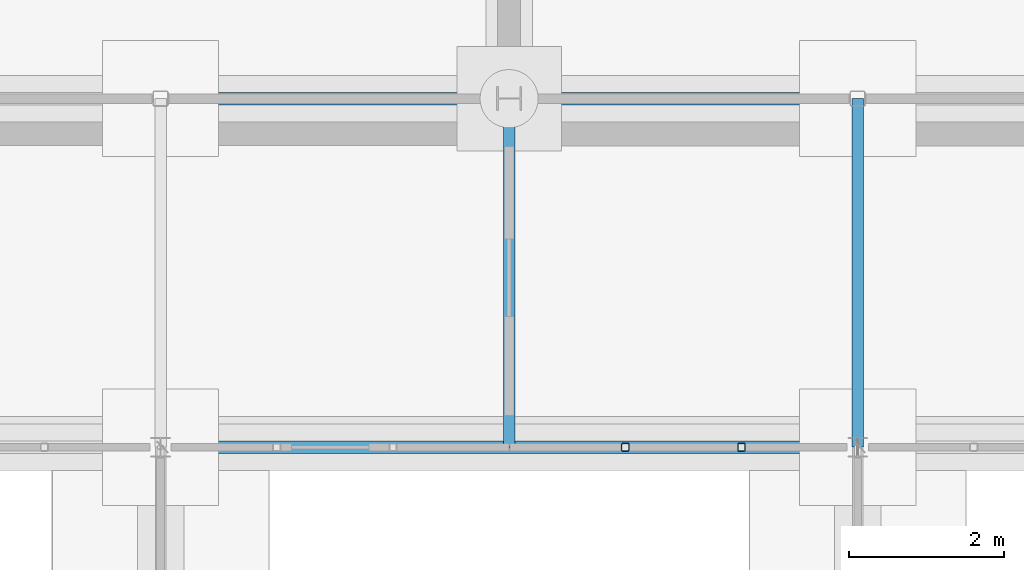
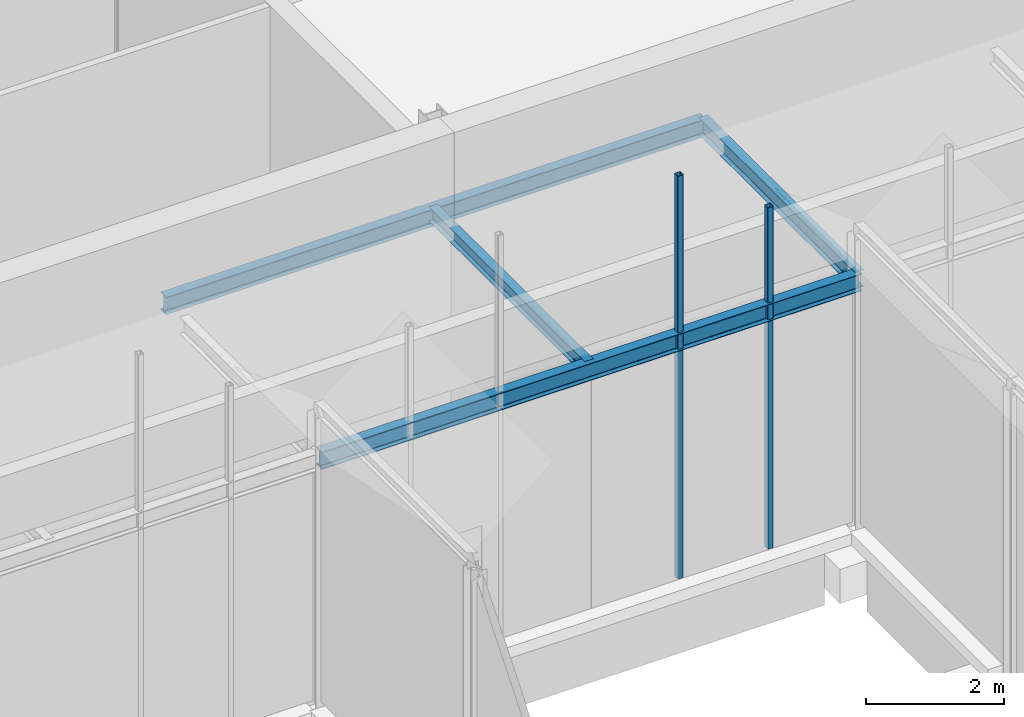
# One storey, part 51 of 106: 4 beams, 2 members.
"""IFC4 building model written with IfcOpenShell, lengths in metres."""

from ifc_helpers import new_model, si_unit, direction, frame, origin, origin_2d, place, context, subcontext, project, spatial, hollow_rectangle, i_section, extrude, material, material_profile, profile_set, type_object, element, save


model = new_model("IFC4")

# Units and contexts
model_context = context("Model", 3, precision=1e-05, world=origin(), true_north=direction((0.0, 1.0)))
body_context = subcontext(model_context, "Body", "Model", "MODEL_VIEW")
ifc_project = project(units=[si_unit("LENGTHUNIT", "METRE"), si_unit("AREAUNIT", "SQUARE_METRE"), si_unit("VOLUMEUNIT", "CUBIC_METRE"), si_unit("PLANEANGLEUNIT", "RADIAN"), si_unit("MASSUNIT", "GRAM", prefix="KILO")], contexts=[model_context])

# Site, building, storey
site_placement = place(None, origin())
site = spatial("IfcSite", under=ifc_project, at=site_placement, CompositionType="ELEMENT")
building_placement = place(site_placement, origin())
building = spatial("IfcBuilding", under=site, at=building_placement, Name="Hortulan Conservatory and Botanical Research Centre", CompositionType="ELEMENT")
storey_placement = place(building_placement, origin())
storey = spatial("IfcBuildingStorey", under=building, at=storey_placement, Name="L00", CompositionType="ELEMENT", Elevation=0.0)

# Members
ifc_material_1 = material(Name="Steel Grade C450L0 (450 MPa, AS/NZS 1163)", Category="steel")
ifc_material_profile_1 = material_profile(ifc_material_1, hollow_rectangle(XDim=0.10009765625, YDim=0.10009765625, WallThickness=0.006103515625, InnerFilletRadius=0.009033203125, OuterFilletRadius=0.014892578125, at=origin_2d()), Name="100x100x6SHS")
ifc_profile_set_1 = profile_set([ifc_material_profile_1], Name="Steel Grade C450L0 (450 MPa, AS/NZS 1163)")
member_type = type_object("IfcMemberType", Name="Climate House Gable Post 100x100x6 SHS", PredefinedType="POST", material=ifc_profile_set_1)
member_1_placement = place(storey_placement, frame((91.5, 31.5, 0.010009765625), z_axis=(0.0, 0.0, 1.0), x_axis=(1.0, 0.0, 0.0)))
element("IfcMember", 1, at=member_1_placement, inside=storey, type_object=member_type, Name="Arid Glasshouse gable post N 6", PredefinedType="POST", context=body_context, shape_type="SweptSolid", body=[
    extrude(hollow_rectangle(XDim=0.10009765625, YDim=0.10009765625, WallThickness=0.006103515625, InnerFilletRadius=0.009033203125, OuterFilletRadius=0.014892578125, at=origin_2d()), origin(), (0.0, 0.0, 1.0), 7.098876953125),
])
member_2_placement = place(storey_placement, frame((93.0, 31.5, 0.010009765625), z_axis=(0.0, 0.0, 1.0), x_axis=(1.0, 0.0, 0.0)))
element("IfcMember", 2, at=member_2_placement, inside=storey, type_object=member_type, Name="Arid Glasshouse gable post N 7.5", PredefinedType="POST", context=body_context, shape_type="SweptSolid", body=[
    extrude(hollow_rectangle(XDim=0.10009765625, YDim=0.10009765625, WallThickness=0.006103515625, InnerFilletRadius=0.009033203125, OuterFilletRadius=0.014892578125, at=origin_2d()), origin(), (0.0, 0.0, 1.0), 6.0185546875),
])

# Beams
ifc_material_2 = material(Name="Steel Grade 300PLUS (AS/NZS 3679.1, 280 MPa minimum yield)", Category="steel")
ifc_material_profile_2 = material_profile(ifc_material_2, i_section(OverallWidth=0.1650390625, OverallDepth=0.303955078125, WebThickness=0.006103515625, FlangeThickness=0.01025390625, FilletRadius=0.011474609375, at=origin_2d()), Name="310UB40.4")
ifc_profile_set_2 = profile_set([ifc_material_profile_2], Name="Steel Grade 300PLUS (AS/NZS 3679.1, 280 MPa minimum yield)")
beam_type_1 = type_object("IfcBeamType", Name="Gardeners Block Edge Beam 310UB40.4", PredefinedType="BEAM", material=ifc_profile_set_2)
for number, where, z_axis, x_axis, name in (
    (3, (85.5, 36.0, 4.197998046875), (1.0, 0.0, 0.0), (0.0, 1.0, 0.0), "Gardeners block rear beam 2"),
    (4, (85.5, 31.5, 4.197998046875), (1.0, 0.0, 0.0), (0.0, 1.0, 0.0), "Gardeners block front beam 2"),
):
    element("IfcBeam", number, at=place(storey_placement, frame(where, z_axis=z_axis, x_axis=x_axis)), inside=storey, type_object=beam_type_1, Name=name, PredefinedType="BEAM", context=body_context, shape_type="SweptSolid", body=[
        extrude(i_section(OverallWidth=0.1650390625, OverallDepth=0.303955078125, WebThickness=0.006103515625, FlangeThickness=0.01025390625, FilletRadius=0.011474609375, at=origin_2d()), origin(), (0.0, 0.0, 1.0), 9.0),
    ])
ifc_material_profile_3 = material_profile(ifc_material_2, i_section(OverallWidth=0.14892578125, OverallDepth=0.298095703125, WebThickness=0.005615234375, FlangeThickness=0.008056640625, FilletRadius=0.012939453125, at=origin_2d()), Name="310UB32.0")
ifc_profile_set_3 = profile_set([ifc_material_profile_3], Name="Steel Grade 300PLUS (AS/NZS 3679.1, 280 MPa minimum yield)")
beam_type_2 = type_object("IfcBeamType", Name="Gardeners Block Primary Beam 310UB32.0", PredefinedType="BEAM", material=ifc_profile_set_3)
beam_1_placement = place(storey_placement, frame((94.5, 31.5, 4.200927734375), z_axis=(0.0, 1.0, 0.0), x_axis=(-1.0, 0.0, 0.0)))
element("IfcBeam", 5, at=beam_1_placement, inside=storey, type_object=beam_type_2, Name="Gardeners block primary beam 3", PredefinedType="BEAM", context=body_context, shape_type="SweptSolid", body=[
    extrude(i_section(OverallWidth=0.14892578125, OverallDepth=0.298095703125, WebThickness=0.005615234375, FlangeThickness=0.008056640625, FilletRadius=0.012939453125, at=origin_2d()), origin(), (0.0, 0.0, 1.0), 4.5),
])
ifc_material_profile_4 = material_profile(ifc_material_2, i_section(OverallWidth=0.14599609375, OverallDepth=0.251953125, WebThickness=0.006103515625, FlangeThickness=0.008544921875, FilletRadius=0.0087890625, at=origin_2d()), Name="250UB31.4")
ifc_profile_set_4 = profile_set([ifc_material_profile_4], Name="Steel Grade 300PLUS (AS/NZS 3679.1, 280 MPa minimum yield)")
beam_type_3 = type_object("IfcBeamType", Name="Gardeners Block Secondary Beam 250UB31.4", PredefinedType="BEAM", material=ifc_profile_set_4)
beam_2_placement = place(storey_placement, frame((90.0, 31.5, 4.22412109375), z_axis=(0.0, 1.0, 0.0), x_axis=(-1.0, 0.0, 0.0)))
element("IfcBeam", 6, at=beam_2_placement, inside=storey, type_object=beam_type_3, Name="Gardeners block secondary beam 2", PredefinedType="BEAM", context=body_context, shape_type="SweptSolid", body=[
    extrude(i_section(OverallWidth=0.14599609375, OverallDepth=0.251953125, WebThickness=0.006103515625, FlangeThickness=0.008544921875, FilletRadius=0.0087890625, at=origin_2d()), origin(), (0.0, 0.0, 1.0), 4.5),
])

save(model, "model.ifc")
